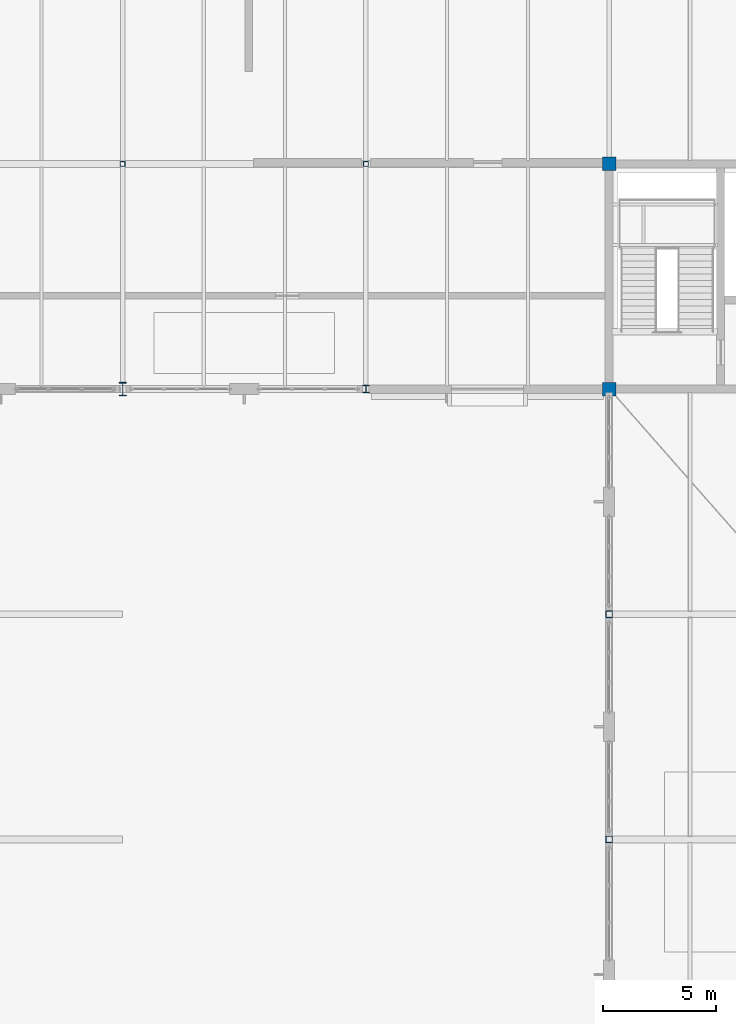
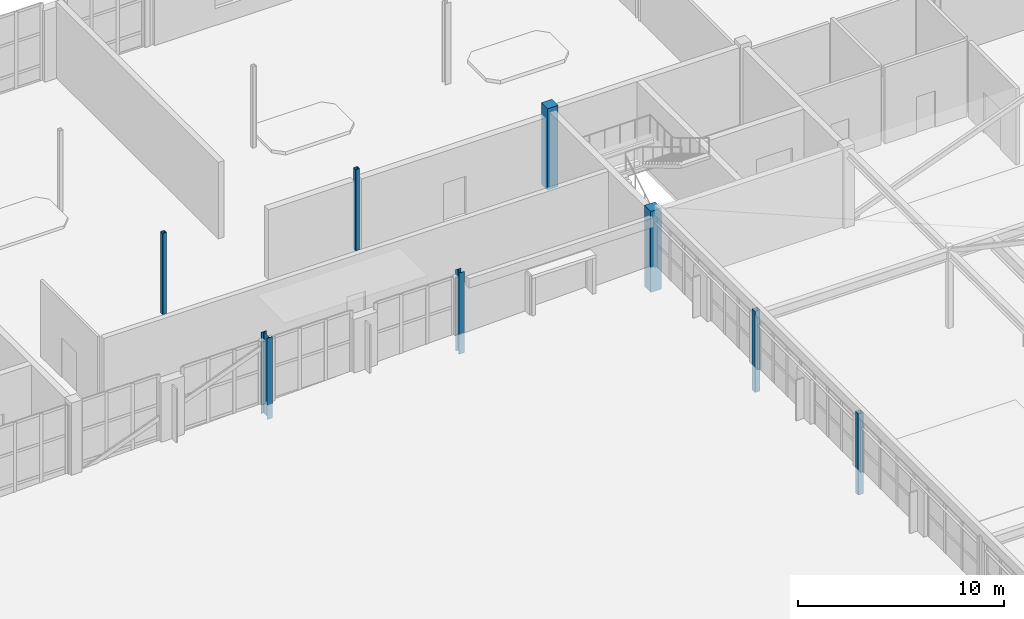
# One storey, part 3 of 86: 8 columns.
"""IFC4 building model written with IfcOpenShell, lengths in metres."""

from ifc_helpers import new_model, si_unit, direction, frame, origin, origin_2d, place, context, subcontext, project, spatial, rectangle, hollow_rectangle, i_section, extrude, material, material_profile, profile_set, type_object, element, save


model = new_model("IFC4")

# Units and contexts
model_context = context("Model", 3, precision=1e-05, world=origin(), true_north=direction((0.0, 1.0)))
body_context = subcontext(model_context, "Body", "Model", "MODEL_VIEW")
ifc_project = project(units=[si_unit("LENGTHUNIT", "METRE"), si_unit("AREAUNIT", "SQUARE_METRE"), si_unit("VOLUMEUNIT", "CUBIC_METRE"), si_unit("PLANEANGLEUNIT", "RADIAN"), si_unit("MASSUNIT", "GRAM", prefix="KILO")], contexts=[model_context])

# Site, building, storey
site_placement = place(None, origin())
site = spatial("IfcSite", under=ifc_project, at=site_placement, CompositionType="ELEMENT")
building_placement = place(site_placement, origin())
building = spatial("IfcBuilding", under=site, at=building_placement, Name="Tasgan Crest Museum", CompositionType="ELEMENT")
storey_placement = place(building_placement, frame((0.0, 0.0, 24.0)))
storey = spatial("IfcBuildingStorey", under=building, at=storey_placement, Name="L04", CompositionType="ELEMENT", Elevation=24.0)

# Columns
ifc_material_1 = material(Name="Steel S355J2", Category="steel")
ifc_material_profile_1 = material_profile(ifc_material_1, i_section(OverallWidth=0.300048828125, OverallDepth=0.340087890625, WebThickness=0.011962890625, FlangeThickness=0.021484375, FilletRadius=0.027099609375, at=origin_2d()), Name="HEB 340")
ifc_profile_set_1 = profile_set([ifc_material_profile_1], Name="Steel S355J2")
column_type_1 = type_object("IfcColumnType", Name="COL-HEB340", PredefinedType="COLUMN", material=ifc_profile_set_1)
column_1_placement = place(storey_placement, frame((43.199951171875, 82.0, 0.0), z_axis=(0.0, 0.0, 1.0), x_axis=(1.0, 0.0, 0.0)))
element("IfcColumn", 1, at=column_1_placement, inside=storey, type_object=column_type_1, Name="Column 5/J L04", PredefinedType="COLUMN", context=body_context, shape_type="SweptSolid", body=[
    extrude(i_section(OverallWidth=0.300048828125, OverallDepth=0.340087890625, WebThickness=0.011962890625, FlangeThickness=0.021484375, FilletRadius=0.027099609375, at=origin_2d()), origin(), (0.0, 0.0, 1.0), 4.800048828125),
])
ifc_material_2 = material(Name="Steel S355K2", Category="steel")
ifc_material_profile_2 = material_profile(ifc_material_2, i_section(OverallWidth=0.300048828125, OverallDepth=0.60009765625, WebThickness=0.015380859375, FlangeThickness=0.030029296875, FilletRadius=0.027099609375, at=origin_2d()), Name="HEB 600")
ifc_profile_set_2 = profile_set([ifc_material_profile_2], Name="Steel S355K2")
column_type_2 = type_object("IfcColumnType", Name="COL-HEB600", PredefinedType="COLUMN", material=ifc_profile_set_2)
column_2_placement = place(storey_placement, frame((32.39990234375, 82.0, 0.0), z_axis=(0.0, 0.0, 1.0), x_axis=(1.0, 0.0, 0.0)))
element("IfcColumn", 2, at=column_2_placement, inside=storey, type_object=column_type_2, Name="Column 4/J L04", PredefinedType="COLUMN", context=body_context, shape_type="SweptSolid", body=[
    extrude(i_section(OverallWidth=0.300048828125, OverallDepth=0.60009765625, WebThickness=0.015380859375, FlangeThickness=0.030029296875, FilletRadius=0.027099609375, at=origin_2d()), origin(), (0.0, 0.0, 1.0), 4.800048828125),
])
ifc_material_3 = material(Name="Concrete C40/50", Category="concrete")
ifc_material_profile_3 = material_profile(ifc_material_3, rectangle(XDim=0.60009765625, YDim=0.60009765625, at=origin_2d()), Name="RC 600x600")
ifc_profile_set_3 = profile_set([ifc_material_profile_3], Name="Concrete C40/50")
column_type_3 = type_object("IfcColumnType", Name="COL-RC600", PredefinedType="COLUMN", material=ifc_profile_set_3)
for number, where, z_axis, x_axis, name in (
    (3, (54.0, 82.0, 0.0), (0.0, 0.0, 1.0), (1.0, 0.0, 0.0), "Column 6/J L04"),
    (4, (54.0, 92.0, 0.0), (0.0, 0.0, 1.0), (1.0, 0.0, 0.0), "Column 6/K L04"),
):
    element("IfcColumn", number, at=place(storey_placement, frame(where, z_axis=z_axis, x_axis=x_axis)), inside=storey, type_object=column_type_3, Name=name, PredefinedType="COLUMN", context=body_context, shape_type="SweptSolid", body=[
        extrude(rectangle(XDim=0.60009765625, YDim=0.60009765625, at=origin_2d()), origin(), (0.0, 0.0, 1.0), 4.800048828125),
    ])
ifc_material_4 = material(Name="Steel S355J2", Category="steel")
ifc_material_profile_4 = material_profile(ifc_material_4, hollow_rectangle(XDim=0.219970703125, YDim=0.219970703125, WallThickness=0.012451171875, InnerFilletRadius=0.012451171875, OuterFilletRadius=0.02490234375, at=origin_2d()), Name="SHS 220x220x12.5")
ifc_profile_set_4 = profile_set([ifc_material_profile_4], Name="Steel S355J2")
column_type_4 = type_object("IfcColumnType", Name="COL-SHS220", PredefinedType="COLUMN", material=ifc_profile_set_4)
for number, where, z_axis, x_axis, name in (
    (5, (32.39990234375, 92.0, 0.0), (0.0, 0.0, 1.0), (1.0, 0.0, 0.0), "Column 4/K L04"),
    (6, (43.199951171875, 92.0, 0.0), (0.0, 0.0, 1.0), (1.0, 0.0, 0.0), "Column 5/K L04"),
):
    element("IfcColumn", number, at=place(storey_placement, frame(where, z_axis=z_axis, x_axis=x_axis)), inside=storey, type_object=column_type_4, Name=name, PredefinedType="COLUMN", context=body_context, shape_type="SweptSolid", body=[
        extrude(hollow_rectangle(XDim=0.219970703125, YDim=0.219970703125, WallThickness=0.012451171875, InnerFilletRadius=0.012451171875, OuterFilletRadius=0.02490234375, at=origin_2d()), origin(), (0.0, 0.0, 1.0), 4.800048828125),
    ])
ifc_material_5 = material(Name="Steel S355K2", Category="steel")
ifc_material_profile_5 = material_profile(ifc_material_5, hollow_rectangle(XDim=0.300048828125, YDim=0.300048828125, WallThickness=0.01611328125, InnerFilletRadius=0.01611328125, OuterFilletRadius=0.031982421875, at=origin_2d()), Name="SHS 300x300x16")
ifc_profile_set_5 = profile_set([ifc_material_profile_5], Name="Steel S355K2")
column_type_5 = type_object("IfcColumnType", Name="COL-SHS300", PredefinedType="COLUMN", material=ifc_profile_set_5)
for number, where, z_axis, x_axis, name in (
    (7, (54.0, 62.0, 0.0), (0.0, 0.0, 1.0), (1.0, 0.0, 0.0), "Column 6/G L04"),
    (8, (54.0, 72.0, 0.0), (0.0, 0.0, 1.0), (1.0, 0.0, 0.0), "Column 6/H L04"),
):
    element("IfcColumn", number, at=place(storey_placement, frame(where, z_axis=z_axis, x_axis=x_axis)), inside=storey, type_object=column_type_5, Name=name, PredefinedType="COLUMN", context=body_context, shape_type="SweptSolid", body=[
        extrude(hollow_rectangle(XDim=0.300048828125, YDim=0.300048828125, WallThickness=0.01611328125, InnerFilletRadius=0.01611328125, OuterFilletRadius=0.031982421875, at=origin_2d()), origin(), (0.0, 0.0, 1.0), 4.800048828125),
    ])

save(model, "model.ifc")
